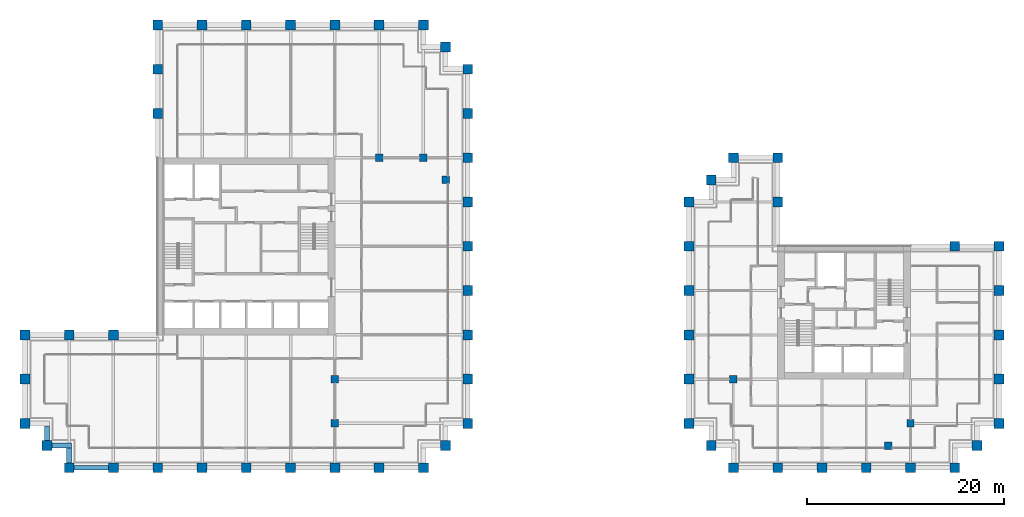
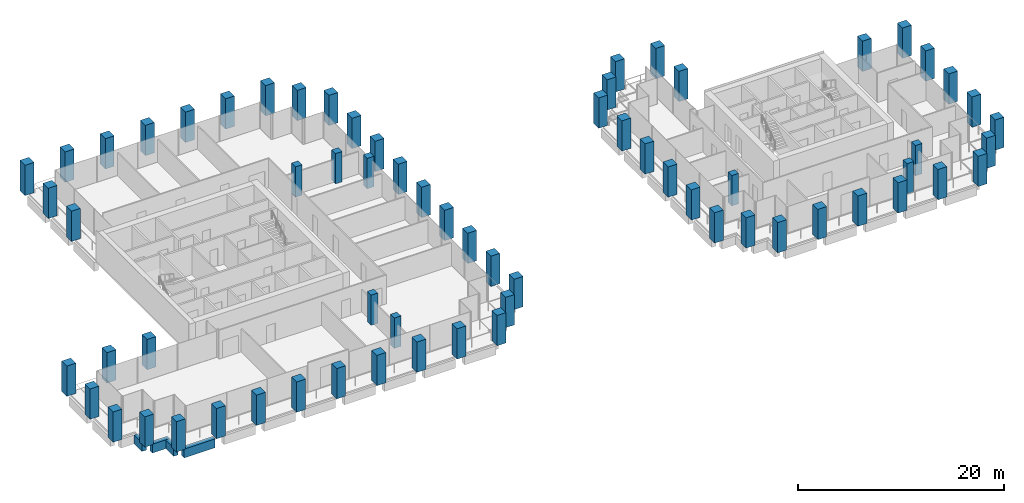
# One storey, part 1 of 47: 67 columns, 4 beams.
"""IFC4 building model written with IfcOpenShell, lengths in metres."""

from ifc_helpers import new_model, si_unit, direction, frame, origin, origin_2d, place, context, subcontext, project, spatial, rectangle, extrude, material, material_profile, profile_set, type_object, element, save


model = new_model("IFC4")

# Units and contexts
model_context = context("Model", 3, precision=1e-05, world=origin(), true_north=direction((0.0, 1.0)))
body_context = subcontext(model_context, "Body", "Model", "MODEL_VIEW")
ifc_project = project(units=[si_unit("LENGTHUNIT", "METRE"), si_unit("AREAUNIT", "SQUARE_METRE"), si_unit("VOLUMEUNIT", "CUBIC_METRE"), si_unit("PLANEANGLEUNIT", "RADIAN"), si_unit("MASSUNIT", "GRAM", prefix="KILO")], contexts=[model_context])

# Site, building, storey
site_placement = place(None, origin())
site = spatial("IfcSite", under=ifc_project, at=site_placement, CompositionType="ELEMENT")
building_placement = place(site_placement, origin())
building = spatial("IfcBuilding", under=site, at=building_placement, Name="Altepetl Exchange Towers", CompositionType="ELEMENT")
storey_placement = place(building_placement, frame((0.0, 0.0, 95.60009765625)))
storey = spatial("IfcBuildingStorey", under=building, at=storey_placement, Name="L23", CompositionType="ELEMENT", Elevation=95.60009765625)

# Columns
ifc_material_1 = material(Name="Concrete C70/85", Category="concrete")
ifc_material_profile_1 = material_profile(ifc_material_1, rectangle(XDim=0.75, YDim=0.75, at=origin_2d()), Name="750 x 750")
ifc_profile_set_1 = profile_set([ifc_material_profile_1], Name="Concrete C70/85")
column_type_1 = type_object("IfcColumnType", Name="Interior column 750", PredefinedType="COLUMN", material=ifc_profile_set_1)
for number, where, name in (
    (1, (58.5, 31.5, 0.0), "col:A:L23:035"),
    (2, (58.5, 36.0, 0.0), "col:A:L23:036"),
    (3, (63.0, 58.5, 0.0), "col:A:L23:037"),
    (4, (67.5, 58.5, 0.0), "col:A:L23:038"),
    (5, (69.75, 56.25, 0.0), "col:A:L23:039"),
    (6, (99.0, 36.0, 0.0), "col:B:L23:024"),
    (7, (114.75, 29.25, 0.0), "col:B:L23:025"),
    (8, (117.0, 31.5, 0.0), "col:B:L23:026"),
):
    element("IfcColumn", number, at=place(storey_placement, frame(where)), inside=storey, type_object=column_type_1, Name=name, PredefinedType="COLUMN", context=body_context, shape_type="SweptSolid", body=[
        extrude(rectangle(XDim=0.75, YDim=0.75, at=origin_2d()), origin(), (0.0, 0.0, 1.0), 3.599853515625),
    ])
ifc_material_2 = material(Name="Concrete C70/85 precast with cantera amarilla facing", Category="concrete")
ifc_material_profile_2 = material_profile(ifc_material_2, rectangle(XDim=1.0, YDim=1.0, at=origin_2d()), Name="1000 x 1000")
ifc_profile_set_2 = profile_set([ifc_material_profile_2], Name="Concrete C70/85 precast with cantera amarilla facing")
column_type_2 = type_object("IfcColumnType", Name="Perimeter column 1000 cantera amarilla", PredefinedType="COLUMN", material=ifc_profile_set_2)
for number, where, name in (
    (9, (58.5, 27.0, 0.0), "col:A:L23:006"),
    (10, (63.0, 27.0, 0.0), "col:A:L23:007"),
    (11, (67.5, 27.0, 0.0), "col:A:L23:008"),
    (12, (69.75, 29.25, 0.0), "col:A:L23:009"),
    (13, (72.0, 31.5, 0.0), "col:A:L23:010"),
    (14, (72.0, 36.0, 0.0), "col:A:L23:011"),
    (15, (72.0, 40.5, 0.0), "col:A:L23:012"),
    (16, (72.0, 45.0, 0.0), "col:A:L23:013"),
    (17, (72.0, 49.5, 0.0), "col:A:L23:014"),
    (18, (72.0, 54.0, 0.0), "col:A:L23:015"),
    (19, (126.0, 49.5, 0.0), "col:B:L23:011"),
    (20, (121.5, 49.5, 0.0), "col:B:L23:012"),
):
    element("IfcColumn", number, at=place(storey_placement, frame(where)), inside=storey, type_object=column_type_2, Name=name, PredefinedType="COLUMN", context=body_context, shape_type="SweptSolid", body=[
        extrude(rectangle(XDim=1.0, YDim=1.0, at=origin_2d()), origin(), (0.0, 0.0, 1.0), 3.599853515625),
    ])
ifc_material_3 = material(Name="Concrete C70/85 precast with cantera blanca facing", Category="concrete")
ifc_material_profile_3 = material_profile(ifc_material_3, rectangle(XDim=1.0, YDim=1.0, at=origin_2d()), Name="1000 x 1000")
ifc_profile_set_3 = profile_set([ifc_material_profile_3], Name="Concrete C70/85 precast with cantera blanca facing")
column_type_3 = type_object("IfcColumnType", Name="Perimeter column 1000 cantera blanca", PredefinedType="COLUMN", material=ifc_profile_set_3)
for number, where, name in (
    (21, (31.5, 27.0, 0.0), "col:A:L23:000"),
    (22, (36.0, 27.0, 0.0), "col:A:L23:001"),
    (23, (40.5, 27.0, 0.0), "col:A:L23:002"),
    (24, (45.0, 27.0, 0.0), "col:A:L23:003"),
    (25, (49.5, 27.0, 0.0), "col:A:L23:004"),
    (26, (54.0, 27.0, 0.0), "col:A:L23:005"),
    (27, (27.0, 36.0, 0.0), "col:A:L23:032"),
    (28, (27.0, 31.5, 0.0), "col:A:L23:033"),
    (29, (29.25, 29.25, 0.0), "col:A:L23:034"),
    (30, (117.0, 27.0, 0.0), "col:B:L23:004"),
    (31, (121.5, 27.0, 0.0), "col:B:L23:005"),
    (32, (123.75, 29.25, 0.0), "col:B:L23:006"),
    (33, (126.0, 31.5, 0.0), "col:B:L23:007"),
    (34, (126.0, 36.0, 0.0), "col:B:L23:008"),
    (35, (126.0, 40.5, 0.0), "col:B:L23:009"),
    (36, (126.0, 45.0, 0.0), "col:B:L23:010"),
):
    element("IfcColumn", number, at=place(storey_placement, frame(where)), inside=storey, type_object=column_type_3, Name=name, PredefinedType="COLUMN", context=body_context, shape_type="SweptSolid", body=[
        extrude(rectangle(XDim=1.0, YDim=1.0, at=origin_2d()), origin(), (0.0, 0.0, 1.0), 3.599853515625),
    ])
ifc_material_4 = material(Name="Concrete C70/85 precast with cantera rosa facing", Category="concrete")
ifc_material_profile_4 = material_profile(ifc_material_4, rectangle(XDim=1.0, YDim=1.0, at=origin_2d()), Name="1000 x 1000")
ifc_profile_set_4 = profile_set([ifc_material_profile_4], Name="Concrete C70/85 precast with cantera rosa facing")
column_type_4 = type_object("IfcColumnType", Name="Perimeter column 1000 cantera rosa", PredefinedType="COLUMN", material=ifc_profile_set_4)
for number, where, name in (
    (37, (72.0, 58.5, 0.0), "col:A:L23:016"),
    (38, (72.0, 63.0, 0.0), "col:A:L23:017"),
    (39, (72.0, 67.5, 0.0), "col:A:L23:018"),
    (40, (69.75, 69.75, 0.0), "col:A:L23:019"),
    (41, (67.5, 72.0, 0.0), "col:A:L23:020"),
    (42, (63.0, 72.0, 0.0), "col:A:L23:021"),
    (43, (58.5, 72.0, 0.0), "col:A:L23:022"),
    (44, (54.0, 72.0, 0.0), "col:A:L23:023"),
    (45, (49.5, 72.0, 0.0), "col:A:L23:024"),
    (46, (45.0, 72.0, 0.0), "col:A:L23:025"),
    (47, (103.5, 54.0, 0.0), "col:B:L23:013"),
    (48, (103.5, 58.5, 0.0), "col:B:L23:014"),
    (49, (99.0, 58.5, 0.0), "col:B:L23:015"),
    (50, (96.75, 56.25, 0.0), "col:B:L23:016"),
    (51, (94.5, 54.0, 0.0), "col:B:L23:017"),
    (52, (94.5, 49.5, 0.0), "col:B:L23:018"),
    (53, (94.5, 45.0, 0.0), "col:B:L23:019"),
    (54, (94.5, 40.5, 0.0), "col:B:L23:020"),
    (55, (94.5, 36.0, 0.0), "col:B:L23:021"),
):
    element("IfcColumn", number, at=place(storey_placement, frame(where)), inside=storey, type_object=column_type_4, Name=name, PredefinedType="COLUMN", context=body_context, shape_type="SweptSolid", body=[
        extrude(rectangle(XDim=1.0, YDim=1.0, at=origin_2d()), origin(), (0.0, 0.0, 1.0), 3.599853515625),
    ])
ifc_material_5 = material(Name="Concrete C70/85 precast with tezontle facing", Category="concrete")
ifc_material_profile_5 = material_profile(ifc_material_5, rectangle(XDim=1.0, YDim=1.0, at=origin_2d()), Name="1000 x 1000")
ifc_profile_set_5 = profile_set([ifc_material_profile_5], Name="Concrete C70/85 precast with tezontle facing")
column_type_5 = type_object("IfcColumnType", Name="Perimeter column 1000 tezontle", PredefinedType="COLUMN", material=ifc_profile_set_5)
for number, where, name in (
    (56, (40.5, 72.0, 0.0), "col:A:L23:026"),
    (57, (40.5, 67.5, 0.0), "col:A:L23:027"),
    (58, (40.5, 63.0, 0.0), "col:A:L23:028"),
    (59, (36.0, 40.5, 0.0), "col:A:L23:029"),
    (60, (31.5, 40.5, 0.0), "col:A:L23:030"),
    (61, (27.0, 40.5, 0.0), "col:A:L23:031"),
    (62, (99.0, 27.0, 0.0), "col:B:L23:000"),
    (63, (103.5, 27.0, 0.0), "col:B:L23:001"),
    (64, (108.0, 27.0, 0.0), "col:B:L23:002"),
    (65, (112.5, 27.0, 0.0), "col:B:L23:003"),
    (66, (94.5, 31.5, 0.0), "col:B:L23:022"),
    (67, (96.75, 29.25, 0.0), "col:B:L23:023"),
):
    element("IfcColumn", number, at=place(storey_placement, frame(where)), inside=storey, type_object=column_type_5, Name=name, PredefinedType="COLUMN", context=body_context, shape_type="SweptSolid", body=[
        extrude(rectangle(XDim=1.0, YDim=1.0, at=origin_2d()), origin(), (0.0, 0.0, 1.0), 3.599853515625),
    ])

# Beams
ifc_material_6 = material(Name="Concrete C50/60 precast with cantera blanca facing", Category="concrete")
ifc_material_profile_6 = material_profile(ifc_material_6, rectangle(XDim=0.5, YDim=1.050048828125, at=origin_2d()), Name="500 x 1050")
ifc_profile_set_6 = profile_set([ifc_material_profile_6], Name="Concrete C50/60 precast with cantera blanca facing")
beam_type = type_object("IfcBeamType", Name="Spandrel beam 500x1050 cantera blanca", PredefinedType="SPANDREL", material=ifc_profile_set_6)
beam_1_placement = place(storey_placement, frame((32.0, 27.0, -0.675048828125), z_axis=(1.0, 0.0, 0.0), x_axis=(0.0, 1.0, 0.0)))
element("IfcBeam", 68, at=beam_1_placement, inside=storey, type_object=beam_type, Name="sp:A:L23:000", PredefinedType="SPANDREL", context=body_context, shape_type="SweptSolid", body=[
    extrude(rectangle(XDim=0.5, YDim=1.050048828125, at=origin_2d()), origin(), (0.0, 0.0, 1.0), 3.5),
])
beam_2_placement = place(storey_placement, frame((29.25, 31.25, -0.675048828125), z_axis=(0.0, -1.0, 0.0), x_axis=(1.0, 0.0, 0.0)))
element("IfcBeam", 69, at=beam_2_placement, inside=storey, type_object=beam_type, Name="sp:A:L23:039", PredefinedType="SPANDREL", context=body_context, shape_type="SweptSolid", body=[
    extrude(rectangle(XDim=0.5, YDim=1.050048828125, at=origin_2d()), origin(), (0.0, 0.0, 1.0), 1.5),
])
beam_3_placement = place(storey_placement, frame((29.75, 29.25, -0.675048828125), z_axis=(1.0, 0.0, 0.0), x_axis=(0.0, 1.0, 0.0)))
element("IfcBeam", 70, at=beam_3_placement, inside=storey, type_object=beam_type, Name="sp:A:L23:040", PredefinedType="SPANDREL", context=body_context, shape_type="SweptSolid", body=[
    extrude(rectangle(XDim=0.5, YDim=1.050048828125, at=origin_2d()), origin(), (0.0, 0.0, 1.0), 2.0),
])
beam_4_placement = place(storey_placement, frame((31.5, 29.0, -0.675048828125), z_axis=(0.0, -1.0, 0.0), x_axis=(1.0, 0.0, 0.0)))
element("IfcBeam", 71, at=beam_4_placement, inside=storey, type_object=beam_type, Name="sp:A:L23:041", PredefinedType="SPANDREL", context=body_context, shape_type="SweptSolid", body=[
    extrude(rectangle(XDim=0.5, YDim=1.050048828125, at=origin_2d()), origin(), (0.0, 0.0, 1.0), 1.5),
])

save(model, "model.ifc")
